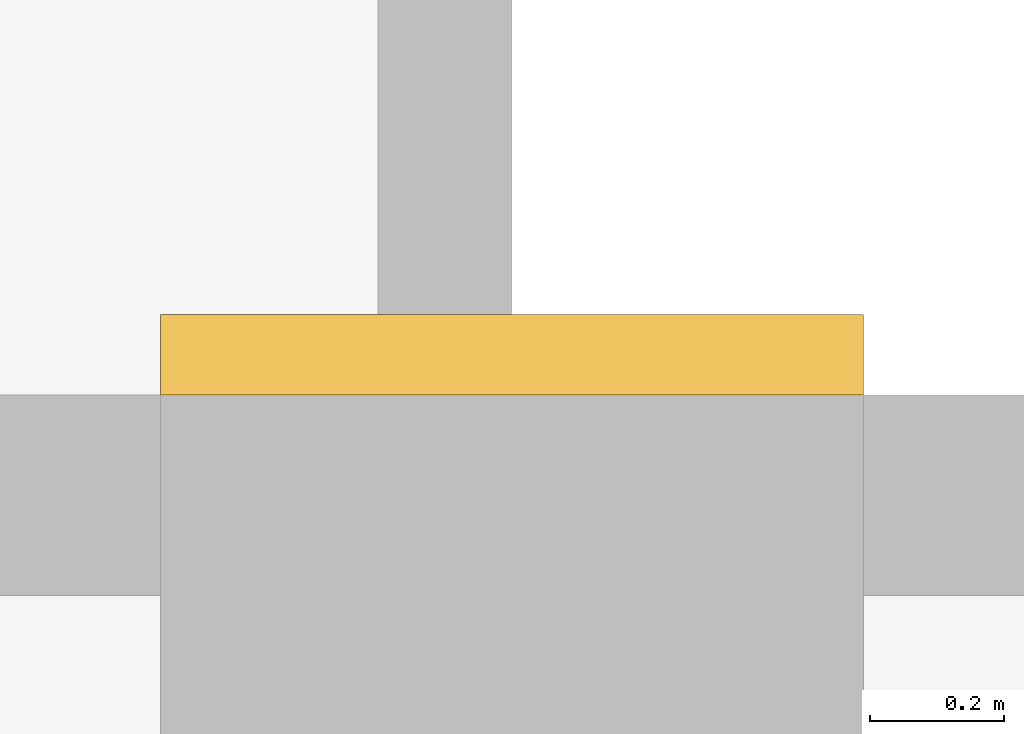
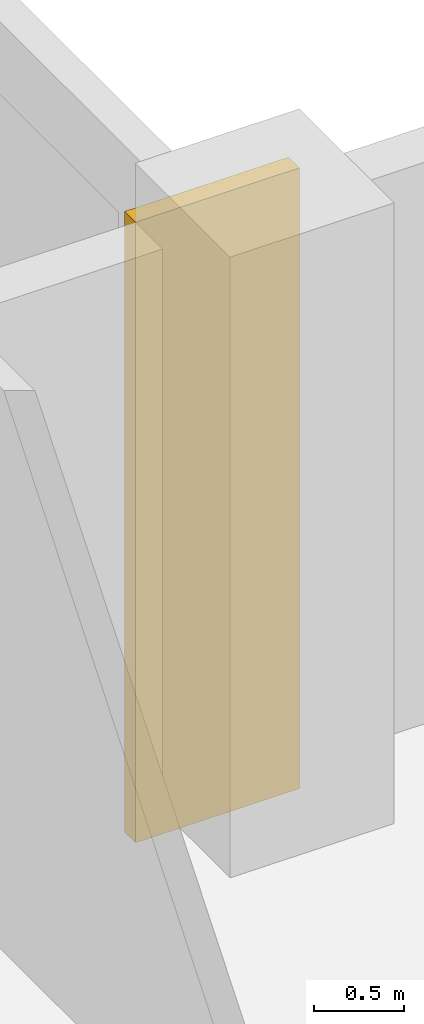
# One storey, part 14 of 14: 1 covering.
"""IFC4 building model written with IfcOpenShell, lengths in metres."""

from ifc_helpers import new_model, si_unit, direction, frame, origin, origin_2d, place, context, subcontext, project, spatial, rectangle, extrude, source, transform, mapped, material, type_object, element, save


model = new_model("IFC4")

# Units and contexts
model_context = context("Model", 3, precision=1e-05, world=origin(), true_north=direction((0.0, 1.0)))
body_context = subcontext(model_context, "Body", "Model", "MODEL_VIEW")
ifc_project = project(units=[si_unit("LENGTHUNIT", "METRE"), si_unit("AREAUNIT", "SQUARE_METRE"), si_unit("VOLUMEUNIT", "CUBIC_METRE"), si_unit("PLANEANGLEUNIT", "RADIAN"), si_unit("MASSUNIT", "GRAM", prefix="KILO")], contexts=[model_context])

# Site, building, storey
site_placement = place(None, origin())
site = spatial("IfcSite", under=ifc_project, at=site_placement, CompositionType="ELEMENT")
building_placement = place(site_placement, origin())
building = spatial("IfcBuilding", under=site, at=building_placement, Name="Aurelian Terraces", CompositionType="ELEMENT")
storey_placement = place(building_placement, frame((0.0, 0.0, 116.1)))
storey = spatial("IfcBuildingStorey", under=building, at=storey_placement, Name="L25", CompositionType="ELEMENT", Elevation=116.1)

# Covering
ifc_material = material(Name="Terracotta rainscreen cladding relief", Category="masonry")
covering_type = type_object("IfcCoveringType", Name="BAGUETTE-TC", PredefinedType="CLADDING", material=ifc_material)
shared_shape = source(origin(), body_context, "Body", "SweptSolid", [
    extrude(rectangle(XDim=1.05, YDim=0.12, at=origin_2d()), origin(), (0.0, 0.0, 1.0), 4.2),
])
covering_placement = place(storey_placement, frame((63.84, 21.06, -0.4), z_axis=(0.0, 0.0, 1.0), x_axis=(1.0, 0.0, 0.0)))
element("IfcCovering", 1, at=covering_placement, inside=storey, type_object=covering_type, Name="BAGUETTE pier L25 9", PredefinedType="CLADDING", context=body_context, shape_type="MappedRepresentation", body=[
    mapped(shared_shape, transform((0.0, 0.0, 0.0), scale=1.0)),
])

save(model, "model.ifc")
